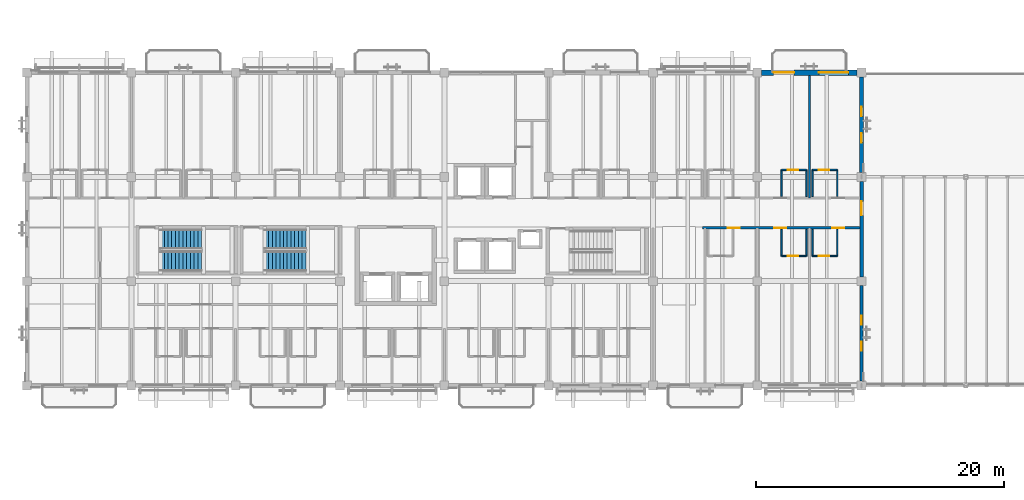
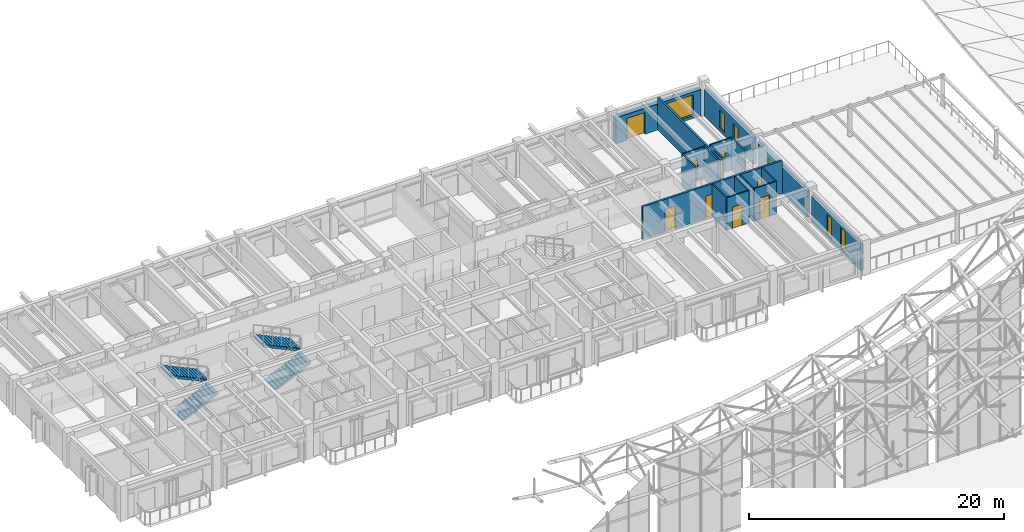
# One storey, part 83 of 93: 18 walls, 9 doors, 5 windows, 4 stair flights, 14 openings, 2 elements without a shape of their own.
"""IFC4 building model written with IfcOpenShell, lengths in metres."""

from ifc_helpers import new_model, si_unit, direction, frame, frame_2d, origin, place, context, subcontext, project, spatial, polyline, rectangle, outline, extrude, material, layer, layer_set, type_object, element, fill, aggregate, save


model = new_model("IFC4")

# Units and contexts
model_context = context("Model", 3, precision=1e-05, world=origin(), true_north=direction((0.0, 1.0)))
body_context = subcontext(model_context, "Body", "Model", "MODEL_VIEW")
ifc_project = project(units=[si_unit("LENGTHUNIT", "METRE"), si_unit("AREAUNIT", "SQUARE_METRE"), si_unit("VOLUMEUNIT", "CUBIC_METRE"), si_unit("PLANEANGLEUNIT", "RADIAN"), si_unit("MASSUNIT", "GRAM", prefix="KILO")], contexts=[model_context])

# Site, building, storey
site_placement = place(None, origin())
site = spatial("IfcSite", under=ifc_project, at=site_placement, CompositionType="ELEMENT")
building_placement = place(site_placement, origin())
building = spatial("IfcBuilding", under=site, at=building_placement, Name="Cumbredor Promenade Congress Hotel", CompositionType="ELEMENT")
storey_placement = place(building_placement, frame((0.0, 0.0, 21.840087890625)))
storey = spatial("IfcBuildingStorey", under=building, at=storey_placement, Name="L06", CompositionType="ELEMENT", Elevation=21.840087890625)

# Wall, opening, door
ifc_material_1 = material(Name="Moisture-resistant gypsum board on steel studs", Category="steel")
ifc_layer_1 = layer(ifc_material_1, 0.114990234375, Name="Moisture-resistant gypsum board on steel studs", Category="steel")
ifc_layer_set_1 = layer_set([ifc_layer_1], Name="Moisture-resistant gypsum board on steel studs")
wall_type_1 = type_object("IfcWallType", Name="WL-BATH-115", PredefinedType="PARTITIONING", material=ifc_layer_set_1)
wall_1_placement = place(storey_placement, frame((60.760009765625, 109.77001953125, 0.0), z_axis=(0.0, 0.0, 1.0), x_axis=(1.0, 0.0, 0.0)))
wall_1 = element("IfcWall", 1, at=wall_1_placement, inside=storey, type_object=wall_type_1, Name="L06 Interior Partition W-L06-BH-0612", PredefinedType="PARTITIONING", context=body_context, shape_type="SweptSolid", body=[
    extrude(rectangle(XDim=2.0, YDim=0.114990234375, at=frame_2d((1.0, 0.0))), origin(), (0.0, 0.0, 1.0), 3.119873046875),
])
opening_1_placement = place(wall_1_placement, frame((0.5, 0.0, 0.0)))
opening_1 = element("IfcOpeningElement", 2, at=opening_1_placement, cuts=wall_1, Name="Opening ID-01", PredefinedType="OPENING", context=body_context, shape_type="SweptSolid", body=[
    extrude(rectangle(XDim=0.860107421875, YDim=2.050048828125, at=frame_2d((0.43017578125, 1.02490234375))), frame((0.0, 0.0673828125, 0.0), z_axis=(0.0, -1.0, 0.0), x_axis=(1.0, 0.0, 0.0)), (0.0, 0.0, 1.0), 0.135009765625),
])
ifc_material_2 = material(Name="Kiln-dried tropical hardwood", Category="wood")
door_type_1 = type_object("IfcDoorType", Name="DR-BATH-860", OperationType="NOTDEFINED", PredefinedType="DOOR", material=ifc_material_2)
door_1_placement = place(opening_1_placement, origin())
door_1 = element("IfcDoor", 3, at=door_1_placement, inside=storey, type_object=door_type_1, Name="L06 Interior Door W-L06-BH-0612-01", OperationType="SINGLE_SWING_RIGHT", OverallHeight=2.050048828125, OverallWidth=0.860107421875, PredefinedType="DOOR", context=body_context, shape_type="SweptSolid", body=[
    extrude(rectangle(XDim=0.860107421875, YDim=2.050048828125, at=frame_2d((0.43017578125, 1.02490234375))), frame((0.0, 0.02490234375, 0.0), z_axis=(0.0, -1.0, 0.0), x_axis=(1.0, 0.0, 0.0)), (0.0, 0.0, 1.0), 0.050048828125),
])
fill(opening_1, door_1)

# Walls
for number, where, z_axis, x_axis, name in (
    (4, (60.760009765625, 107.6201171875, 0.0), (0.0, 0.0, 1.0), (0.0, 1.0, 0.0), "L06 Interior Partition W-L06-BV1-0612"),
    (5, (62.760009765625, 107.6201171875, 0.0), (0.0, 0.0, 1.0), (0.0, 1.0, 0.0), "L06 Interior Partition W-L06-BV2-0612"),
):
    element("IfcWall", number, at=place(storey_placement, frame(where, z_axis=z_axis, x_axis=x_axis)), inside=storey, type_object=wall_type_1, Name=name, PredefinedType="PARTITIONING", context=body_context, shape_type="SweptSolid", body=[
        extrude(rectangle(XDim=2.14990234375, YDim=0.114990234375, at=frame_2d((1.074951171875, 0.0))), origin(), (0.0, 0.0, 1.0), 3.119873046875),
    ])

# Wall, opening, door
wall_2_placement = place(storey_placement, frame((63.239990234375, 109.77001953125, 0.0), z_axis=(0.0, 0.0, 1.0), x_axis=(1.0, 0.0, 0.0)))
wall_2 = element("IfcWall", 6, at=wall_2_placement, inside=storey, type_object=wall_type_1, Name="L06 Interior Partition W-L06-BH-0613", PredefinedType="PARTITIONING", context=body_context, shape_type="SweptSolid", body=[
    extrude(rectangle(XDim=2.0, YDim=0.114990234375, at=frame_2d((1.0, 0.0))), origin(), (0.0, 0.0, 1.0), 3.119873046875),
])
opening_2_placement = place(wall_2_placement, frame((0.5, 0.0, 0.0)))
opening_2 = element("IfcOpeningElement", 7, at=opening_2_placement, cuts=wall_2, Name="Opening ID-01", PredefinedType="OPENING", context=body_context, shape_type="SweptSolid", body=[
    extrude(rectangle(XDim=0.860107421875, YDim=2.050048828125, at=frame_2d((0.43017578125, 1.02490234375))), frame((0.0, 0.0673828125, 0.0), z_axis=(0.0, -1.0, 0.0), x_axis=(1.0, 0.0, 0.0)), (0.0, 0.0, 1.0), 0.135009765625),
])
door_2_placement = place(opening_2_placement, origin())
door_2 = element("IfcDoor", 8, at=door_2_placement, inside=storey, type_object=door_type_1, Name="L06 Interior Door W-L06-BH-0613-01", OperationType="SINGLE_SWING_LEFT", OverallHeight=2.050048828125, OverallWidth=0.860107421875, PredefinedType="DOOR", context=body_context, shape_type="SweptSolid", body=[
    extrude(rectangle(XDim=0.860107421875, YDim=2.050048828125, at=frame_2d((0.43017578125, 1.02490234375))), frame((0.0, 0.02490234375, 0.0), z_axis=(0.0, -1.0, 0.0), x_axis=(1.0, 0.0, 0.0)), (0.0, 0.0, 1.0), 0.050048828125),
])
fill(opening_2, door_2)

# Walls
for number, where, z_axis, x_axis, name in (
    (9, (63.239990234375, 107.6201171875, 0.0), (0.0, 0.0, 1.0), (0.0, 1.0, 0.0), "L06 Interior Partition W-L06-BV1-0613"),
    (10, (65.239990234375, 107.6201171875, 0.0), (0.0, 0.0, 1.0), (0.0, 1.0, 0.0), "L06 Interior Partition W-L06-BV2-0613"),
):
    element("IfcWall", number, at=place(storey_placement, frame(where, z_axis=z_axis, x_axis=x_axis)), inside=storey, type_object=wall_type_1, Name=name, PredefinedType="PARTITIONING", context=body_context, shape_type="SweptSolid", body=[
        extrude(rectangle(XDim=2.14990234375, YDim=0.114990234375, at=frame_2d((1.074951171875, 0.0))), origin(), (0.0, 0.0, 1.0), 3.119873046875),
    ])

# Wall, opening, door
wall_3_placement = place(storey_placement, frame((60.760009765625, 102.830078125, 0.0), z_axis=(0.0, 0.0, 1.0), x_axis=(1.0, 0.0, 0.0)))
wall_3 = element("IfcWall", 11, at=wall_3_placement, inside=storey, type_object=wall_type_1, Name="L06 Interior Partition W-L06-BH-0615", PredefinedType="PARTITIONING", context=body_context, shape_type="SweptSolid", body=[
    extrude(rectangle(XDim=2.0, YDim=0.114990234375, at=frame_2d((1.0, 0.0))), origin(), (0.0, 0.0, 1.0), 3.119873046875),
])
opening_3_placement = place(wall_3_placement, frame((0.5, 0.0, 0.0)))
opening_3 = element("IfcOpeningElement", 12, at=opening_3_placement, cuts=wall_3, Name="Opening ID-01", PredefinedType="OPENING", context=body_context, shape_type="SweptSolid", body=[
    extrude(rectangle(XDim=0.860107421875, YDim=2.050048828125, at=frame_2d((0.43017578125, 1.02490234375))), frame((0.0, 0.0673828125, 0.0), z_axis=(0.0, -1.0, 0.0), x_axis=(1.0, 0.0, 0.0)), (0.0, 0.0, 1.0), 0.135009765625),
])
door_3_placement = place(opening_3_placement, origin())
door_3 = element("IfcDoor", 13, at=door_3_placement, inside=storey, type_object=door_type_1, Name="L06 Interior Door W-L06-BH-0615-01", OperationType="SINGLE_SWING_LEFT", OverallHeight=2.050048828125, OverallWidth=0.860107421875, PredefinedType="DOOR", context=body_context, shape_type="SweptSolid", body=[
    extrude(rectangle(XDim=0.860107421875, YDim=2.050048828125, at=frame_2d((0.43017578125, 1.02490234375))), frame((0.0, 0.02490234375, 0.0), z_axis=(0.0, -1.0, 0.0), x_axis=(1.0, 0.0, 0.0)), (0.0, 0.0, 1.0), 0.050048828125),
])
fill(opening_3, door_3)

# Walls
for number, where, z_axis, x_axis, name in (
    (14, (60.760009765625, 102.830078125, 0.0), (0.0, 0.0, 1.0), (0.0, 1.0, 0.0), "L06 Interior Partition W-L06-BV1-0615"),
    (15, (62.760009765625, 102.830078125, 0.0), (0.0, 0.0, 1.0), (0.0, 1.0, 0.0), "L06 Interior Partition W-L06-BV2-0615"),
):
    element("IfcWall", number, at=place(storey_placement, frame(where, z_axis=z_axis, x_axis=x_axis)), inside=storey, type_object=wall_type_1, Name=name, PredefinedType="PARTITIONING", context=body_context, shape_type="SweptSolid", body=[
        extrude(rectangle(XDim=2.14990234375, YDim=0.114990234375, at=frame_2d((1.074951171875, 0.0))), origin(), (0.0, 0.0, 1.0), 3.119873046875),
    ])

# Wall, opening, door
wall_4_placement = place(storey_placement, frame((63.239990234375, 102.830078125, 0.0), z_axis=(0.0, 0.0, 1.0), x_axis=(1.0, 0.0, 0.0)))
wall_4 = element("IfcWall", 16, at=wall_4_placement, inside=storey, type_object=wall_type_1, Name="L06 Interior Partition W-L06-BH-0616", PredefinedType="PARTITIONING", context=body_context, shape_type="SweptSolid", body=[
    extrude(rectangle(XDim=2.0, YDim=0.114990234375, at=frame_2d((1.0, 0.0))), origin(), (0.0, 0.0, 1.0), 3.119873046875),
])
opening_4_placement = place(wall_4_placement, frame((0.5, 0.0, 0.0)))
opening_4 = element("IfcOpeningElement", 17, at=opening_4_placement, cuts=wall_4, Name="Opening ID-01", PredefinedType="OPENING", context=body_context, shape_type="SweptSolid", body=[
    extrude(rectangle(XDim=0.860107421875, YDim=2.050048828125, at=frame_2d((0.43017578125, 1.02490234375))), frame((0.0, 0.0673828125, 0.0), z_axis=(0.0, -1.0, 0.0), x_axis=(1.0, 0.0, 0.0)), (0.0, 0.0, 1.0), 0.135009765625),
])
door_4_placement = place(opening_4_placement, origin())
door_4 = element("IfcDoor", 18, at=door_4_placement, inside=storey, type_object=door_type_1, Name="L06 Interior Door W-L06-BH-0616-01", OperationType="SINGLE_SWING_RIGHT", OverallHeight=2.050048828125, OverallWidth=0.860107421875, PredefinedType="DOOR", context=body_context, shape_type="SweptSolid", body=[
    extrude(rectangle(XDim=0.860107421875, YDim=2.050048828125, at=frame_2d((0.43017578125, 1.02490234375))), frame((0.0, 0.02490234375, 0.0), z_axis=(0.0, -1.0, 0.0), x_axis=(1.0, 0.0, 0.0)), (0.0, 0.0, 1.0), 0.050048828125),
])
fill(opening_4, door_4)

# Walls
for number, where, z_axis, x_axis, name in (
    (19, (63.239990234375, 102.830078125, 0.0), (0.0, 0.0, 1.0), (0.0, 1.0, 0.0), "L06 Interior Partition W-L06-BV1-0616"),
    (20, (65.239990234375, 102.830078125, 0.0), (0.0, 0.0, 1.0), (0.0, 1.0, 0.0), "L06 Interior Partition W-L06-BV2-0616"),
):
    element("IfcWall", number, at=place(storey_placement, frame(where, z_axis=z_axis, x_axis=x_axis)), inside=storey, type_object=wall_type_1, Name=name, PredefinedType="PARTITIONING", context=body_context, shape_type="SweptSolid", body=[
        extrude(rectangle(XDim=2.14990234375, YDim=0.114990234375, at=frame_2d((1.074951171875, 0.0))), origin(), (0.0, 0.0, 1.0), 3.119873046875),
    ])

# Wall, openings, doors
ifc_material_3 = material(Name="Fire-rated hotel corridor wall")
ifc_layer_2 = layer(ifc_material_3, 0.179931640625, Name="Fire-rated hotel corridor wall")
ifc_layer_set_2 = layer_set([ifc_layer_2], Name="Fire-rated hotel corridor wall")
wall_type_2 = type_object("IfcWallType", Name="WL-CORR-180", PredefinedType="PARTITIONING", material=ifc_layer_set_2)
wall_5_placement = place(storey_placement, frame((54.39990234375, 105.10009765625, 0.0), z_axis=(0.0, 0.0, 1.0), x_axis=(1.0, 0.0, 0.0)))
wall_5 = element("IfcWall", 21, at=wall_5_placement, inside=storey, type_object=wall_type_2, Name="L06 Interior Partition W-L06-CORR-SE", PredefinedType="PARTITIONING", context=body_context, shape_type="SweptSolid", body=[
    extrude(rectangle(XDim=12.66015625, YDim=0.179931640625, at=frame_2d((6.330078125, 0.0))), origin(), (0.0, 0.0, 1.0), 3.119873046875),
])
opening_5_placement = place(wall_5_placement, frame((2.030029296875, 0.0, 0.0)))
opening_5 = element("IfcOpeningElement", 22, at=opening_5_placement, cuts=wall_5, Name="Opening FD-01", PredefinedType="OPENING", context=body_context, shape_type="SweptSolid", body=[
    extrude(rectangle(XDim=0.9599609375, YDim=2.14990234375, at=frame_2d((0.47998046875, 1.074951171875))), frame((0.0, 0.10009765625, 0.0), z_axis=(0.0, -1.0, 0.0), x_axis=(1.0, 0.0, 0.0)), (0.0, 0.0, 1.0), 0.199951171875),
])
opening_6_placement = place(wall_5_placement, frame((5.77001953125, 0.0, 0.0)))
opening_6 = element("IfcOpeningElement", 23, at=opening_6_placement, cuts=wall_5, Name="Opening FD-01", PredefinedType="OPENING", context=body_context, shape_type="SweptSolid", body=[
    extrude(rectangle(XDim=0.9599609375, YDim=2.14990234375, at=frame_2d((0.47998046875, 1.074951171875))), frame((0.0, 0.10009765625, 0.0), z_axis=(0.0, -1.0, 0.0), x_axis=(1.0, 0.0, 0.0)), (0.0, 0.0, 1.0), 0.199951171875),
])
opening_7_placement = place(wall_5_placement, frame((10.429931640625, 0.0, 0.0)))
opening_7 = element("IfcOpeningElement", 24, at=opening_7_placement, cuts=wall_5, Name="Opening FD-01", PredefinedType="OPENING", context=body_context, shape_type="SweptSolid", body=[
    extrude(rectangle(XDim=0.9599609375, YDim=2.14990234375, at=frame_2d((0.47998046875, 1.074951171875))), frame((0.0, 0.10009765625, 0.0), z_axis=(0.0, -1.0, 0.0), x_axis=(1.0, 0.0, 0.0)), (0.0, 0.0, 1.0), 0.199951171875),
])
ifc_material_4 = material(Name="Solid-core fire-rated tropical hardwood", Category="wood")
door_type_2 = type_object("IfcDoorType", Name="DR-GUEST-FD30-950", OperationType="NOTDEFINED", PredefinedType="DOOR", material=ifc_material_4)
door_5_placement = place(opening_5_placement, origin())
door_5 = element("IfcDoor", 25, at=door_5_placement, inside=storey, type_object=door_type_2, Name="L06 Interior Door W-L06-CORR-SE-01", OperationType="SINGLE_SWING_LEFT", OverallHeight=2.14990234375, OverallWidth=0.9599609375, PredefinedType="DOOR", context=body_context, shape_type="SweptSolid", body=[
    extrude(rectangle(XDim=0.9599609375, YDim=2.14990234375, at=frame_2d((0.47998046875, 1.074951171875))), frame((0.0, 0.02490234375, 0.0), z_axis=(0.0, -1.0, 0.0), x_axis=(1.0, 0.0, 0.0)), (0.0, 0.0, 1.0), 0.050048828125),
])
fill(opening_5, door_5)
door_6_placement = place(opening_6_placement, origin())
door_6 = element("IfcDoor", 26, at=door_6_placement, inside=storey, type_object=door_type_2, Name="L06 Interior Door W-L06-CORR-SE-02", OperationType="SINGLE_SWING_RIGHT", OverallHeight=2.14990234375, OverallWidth=0.9599609375, PredefinedType="DOOR", context=body_context, shape_type="SweptSolid", body=[
    extrude(rectangle(XDim=0.9599609375, YDim=2.14990234375, at=frame_2d((0.47998046875, 1.074951171875))), frame((0.0, 0.02490234375, 0.0), z_axis=(0.0, -1.0, 0.0), x_axis=(1.0, 0.0, 0.0)), (0.0, 0.0, 1.0), 0.050048828125),
])
fill(opening_6, door_6)
door_7_placement = place(opening_7_placement, origin())
door_7 = element("IfcDoor", 27, at=door_7_placement, inside=storey, type_object=door_type_2, Name="L06 Interior Door W-L06-CORR-SE-03", OperationType="SINGLE_SWING_LEFT", OverallHeight=2.14990234375, OverallWidth=0.9599609375, PredefinedType="DOOR", context=body_context, shape_type="SweptSolid", body=[
    extrude(rectangle(XDim=0.9599609375, YDim=2.14990234375, at=frame_2d((0.47998046875, 1.074951171875))), frame((0.0, 0.02490234375, 0.0), z_axis=(0.0, -1.0, 0.0), x_axis=(1.0, 0.0, 0.0)), (0.0, 0.0, 1.0), 0.050048828125),
])
fill(opening_7, door_7)

# Wall, openings, windows
ifc_material_5 = material(Name="Concrete C40/50", Category="concrete")
ifc_layer_3 = layer(ifc_material_5, 0.260009765625, Name="Concrete C40/50", Category="concrete")
ifc_layer_set_3 = layer_set([ifc_layer_3], Name="Concrete C40/50")
wall_type_3 = type_object("IfcWallType", Name="WL-EXT-260", PredefinedType="SOLIDWALL", material=ifc_layer_set_3)
wall_6_placement = place(storey_placement, frame((67.199951171875, 92.7509765625, 0.0), z_axis=(0.0, 0.0, 1.0), x_axis=(0.0, 1.0, 0.0)))
wall_6 = element("IfcWall", 28, at=wall_6_placement, inside=storey, type_object=wall_type_3, Name="L06 Stepped Congress Hotel Wing East Envelope Wall 1", PredefinedType="SOLIDWALL", context=body_context, shape_type="SweptSolid", body=[
    extrude(rectangle(XDim=7.697998046875, YDim=0.260009765625, at=frame_2d((3.84912109375, 0.0))), origin(), (0.0, 0.0, 1.0), 2.493896484375),
])
opening_8_placement = place(wall_6_placement, frame((2.43896484375, 0.0, 0.300048828125)))
opening_8 = element("IfcOpeningElement", 29, at=opening_8_placement, cuts=wall_6, Name="Opening WN-49", PredefinedType="OPENING", context=body_context, shape_type="SweptSolid", body=[
    extrude(rectangle(XDim=0.719970703125, YDim=1.949951171875, at=frame_2d((0.35986328125, 0.97509765625))), frame((0.0, 0.14013671875, 0.0), z_axis=(0.0, -1.0, 0.0), x_axis=(1.0, 0.0, 0.0)), (0.0, 0.0, 1.0), 0.280029296875),
])
opening_9_placement = place(wall_6_placement, frame((4.5390625, 0.0, 0.300048828125)))
opening_9 = element("IfcOpeningElement", 30, at=opening_9_placement, cuts=wall_6, Name="Opening WN-49", PredefinedType="OPENING", context=body_context, shape_type="SweptSolid", body=[
    extrude(rectangle(XDim=0.719970703125, YDim=1.949951171875, at=frame_2d((0.35986328125, 0.97509765625))), frame((0.0, 0.14013671875, 0.0), z_axis=(0.0, -1.0, 0.0), x_axis=(1.0, 0.0, 0.0)), (0.0, 0.0, 1.0), 0.280029296875),
])
ifc_material_6 = material(Name="Thermally broken anodized aluminium and low-E glass", Category="aluminium")
window_type_1 = type_object("IfcWindowType", Name="Vertical Slot Window WN-49 720x1950", PartitioningType="SINGLE_PANEL", PredefinedType="WINDOW", material=ifc_material_6)
window_1_placement = place(opening_8_placement, origin())
window_1 = element("IfcWindow", 31, at=window_1_placement, inside=storey, type_object=window_type_1, Name="L06 Vertical Slot Window 0611", OverallHeight=1.949951171875, OverallWidth=0.719970703125, PartitioningType="SINGLE_PANEL", PredefinedType="WINDOW", context=body_context, shape_type="SweptSolid", body=[
    extrude(rectangle(XDim=0.719970703125, YDim=1.949951171875, at=frame_2d((0.35986328125, 0.97509765625))), frame((0.0, 0.030029296875, 0.0), z_axis=(0.0, -1.0, 0.0), x_axis=(1.0, 0.0, 0.0)), (0.0, 0.0, 1.0), 0.06005859375),
])
fill(opening_8, window_1)
window_2_placement = place(opening_9_placement, origin())
window_2 = element("IfcWindow", 32, at=window_2_placement, inside=storey, type_object=window_type_1, Name="L06 Vertical Slot Window 0612", OverallHeight=1.949951171875, OverallWidth=0.719970703125, PartitioningType="SINGLE_PANEL", PredefinedType="WINDOW", context=body_context, shape_type="SweptSolid", body=[
    extrude(rectangle(XDim=0.719970703125, YDim=1.949951171875, at=frame_2d((0.35986328125, 0.97509765625))), frame((0.0, 0.030029296875, 0.0), z_axis=(0.0, -1.0, 0.0), x_axis=(1.0, 0.0, 0.0)), (0.0, 0.0, 1.0), 0.06005859375),
])
fill(opening_9, window_2)

# Wall, opening, door
ifc_layer_4 = layer(ifc_material_5, 0.280029296875, Name="Concrete C40/50", Category="concrete")
ifc_layer_set_4 = layer_set([ifc_layer_4], Name="Concrete C40/50")
wall_type_4 = type_object("IfcWallType", Name="WL-EXT-280", PredefinedType="SOLIDWALL", material=ifc_layer_set_4)
wall_7_placement = place(storey_placement, frame((67.199951171875, 101.15087890625, 0.0), z_axis=(0.0, 0.0, 1.0), x_axis=(0.0, 1.0, 0.0)))
wall_7 = element("IfcWall", 33, at=wall_7_placement, inside=storey, type_object=wall_type_4, Name="L06 Stepped Congress Hotel Wing East Envelope Wall 2", PredefinedType="SOLIDWALL", context=body_context, shape_type="SweptSolid", body=[
    extrude(rectangle(XDim=7.6982421875, YDim=0.280029296875, at=frame_2d((3.84912109375, 0.0))), origin(), (0.0, 0.0, 1.0), 2.493896484375),
])
opening_10_placement = place(wall_7_placement, frame((4.948974609375, 0.0, 0.0)))
opening_10 = element("IfcOpeningElement", 34, at=opening_10_placement, cuts=wall_7, Name="Opening TD-05", PredefinedType="OPENING", context=body_context, shape_type="SweptSolid", body=[
    extrude(rectangle(XDim=1.1201171875, YDim=2.050048828125, at=frame_2d((0.56005859375, 1.02490234375))), frame((0.0, 0.14990234375, 0.0), z_axis=(0.0, -1.0, 0.0), x_axis=(1.0, 0.0, 0.0)), (0.0, 0.0, 1.0), 0.300048828125),
])
ifc_material_7 = material(Name="Thermally broken anodized aluminium and laminated safety glass", Category="aluminium")
door_type_3 = type_object("IfcDoorType", Name="EXT-DR-TER-1120x2050", OperationType="NOTDEFINED", PredefinedType="DOOR", material=ifc_material_7)
door_8_placement = place(opening_10_placement, frame((1.1201171875, 0.0, 0.0), z_axis=(0.0, 0.0, 1.0), x_axis=(-1.0, 0.0, 0.0)))
door_8 = element("IfcDoor", 35, at=door_8_placement, inside=storey, type_object=door_type_3, Name="L06 Sky Garden Terrace Access Door 74", OperationType="SINGLE_SWING_LEFT", OverallHeight=2.050048828125, OverallWidth=1.1201171875, PredefinedType="DOOR", context=body_context, shape_type="SweptSolid", body=[
    extrude(rectangle(XDim=1.1201171875, YDim=2.050048828125, at=frame_2d((0.56005859375, 1.02490234375))), frame((0.0, 0.02490234375, 0.0), z_axis=(0.0, -1.0, 0.0), x_axis=(1.0, 0.0, 0.0)), (0.0, 0.0, 1.0), 0.050048828125),
])
fill(opening_10, door_8)

# Wall, openings, windows
ifc_layer_5 = layer(ifc_material_5, 0.300048828125, Name="Concrete C40/50", Category="concrete")
ifc_layer_set_5 = layer_set([ifc_layer_5], Name="Concrete C40/50")
wall_type_5 = type_object("IfcWallType", Name="WL-EXT-300", PredefinedType="SOLIDWALL", material=ifc_layer_set_5)
wall_8_placement = place(storey_placement, frame((67.199951171875, 109.551025390625, 0.0), z_axis=(0.0, 0.0, 1.0), x_axis=(0.0, 1.0, 0.0)))
wall_8 = element("IfcWall", 36, at=wall_8_placement, inside=storey, type_object=wall_type_5, Name="L06 Stepped Congress Hotel Wing East Envelope Wall 3", PredefinedType="SOLIDWALL", context=body_context, shape_type="SweptSolid", body=[
    extrude(rectangle(XDim=7.697998046875, YDim=0.300048828125, at=frame_2d((3.84912109375, 0.0))), origin(), (0.0, 0.0, 1.0), 2.493896484375),
])
opening_11_placement = place(wall_8_placement, frame((2.4189453125, 0.0, 0.300048828125)))
opening_11 = element("IfcOpeningElement", 37, at=opening_11_placement, cuts=wall_8, Name="Opening WN-61", PredefinedType="OPENING", context=body_context, shape_type="SweptSolid", body=[
    extrude(rectangle(XDim=0.760009765625, YDim=1.75, at=frame_2d((0.3798828125, 0.875))), frame((0.0, 0.16015625, 0.0), z_axis=(0.0, -1.0, 0.0), x_axis=(1.0, 0.0, 0.0)), (0.0, 0.0, 1.0), 0.320068359375),
])
opening_12_placement = place(wall_8_placement, frame((4.51904296875, 0.0, 0.300048828125)))
opening_12 = element("IfcOpeningElement", 38, at=opening_12_placement, cuts=wall_8, Name="Opening WN-61", PredefinedType="OPENING", context=body_context, shape_type="SweptSolid", body=[
    extrude(rectangle(XDim=0.760009765625, YDim=1.75, at=frame_2d((0.3798828125, 0.875))), frame((0.0, 0.16015625, 0.0), z_axis=(0.0, -1.0, 0.0), x_axis=(1.0, 0.0, 0.0)), (0.0, 0.0, 1.0), 0.320068359375),
])
window_type_2 = type_object("IfcWindowType", Name="Vertical Slot Window WN-61 760x1750", PartitioningType="SINGLE_PANEL", PredefinedType="WINDOW", material=ifc_material_6)
window_3_placement = place(opening_11_placement, origin())
window_3 = element("IfcWindow", 39, at=window_3_placement, inside=storey, type_object=window_type_2, Name="L06 Vertical Slot Window 0613", OverallHeight=1.75, OverallWidth=0.760009765625, PartitioningType="SINGLE_PANEL", PredefinedType="WINDOW", context=body_context, shape_type="SweptSolid", body=[
    extrude(rectangle(XDim=0.760009765625, YDim=1.75, at=frame_2d((0.3798828125, 0.875))), frame((0.0, 0.030029296875, 0.0), z_axis=(0.0, -1.0, 0.0), x_axis=(1.0, 0.0, 0.0)), (0.0, 0.0, 1.0), 0.06005859375),
])
fill(opening_11, window_3)
window_4_placement = place(opening_12_placement, origin())
window_4 = element("IfcWindow", 40, at=window_4_placement, inside=storey, type_object=window_type_2, Name="L06 Vertical Slot Window 0614", OverallHeight=1.75, OverallWidth=0.760009765625, PartitioningType="SINGLE_PANEL", PredefinedType="WINDOW", context=body_context, shape_type="SweptSolid", body=[
    extrude(rectangle(XDim=0.760009765625, YDim=1.75, at=frame_2d((0.3798828125, 0.875))), frame((0.0, 0.030029296875, 0.0), z_axis=(0.0, -1.0, 0.0), x_axis=(1.0, 0.0, 0.0)), (0.0, 0.0, 1.0), 0.06005859375),
])
fill(opening_12, window_4)

# Wall, openings, door, window
ifc_layer_6 = layer(ifc_material_5, 0.449951171875, Name="Concrete C40/50", Category="concrete")
ifc_layer_set_6 = layer_set([ifc_layer_6], Name="Concrete C40/50")
wall_type_6 = type_object("IfcWallType", Name="WL-EXT-450", PredefinedType="SOLIDWALL", material=ifc_layer_set_6)
wall_9_placement = place(storey_placement, frame((59.15087890625, 117.60009765625, 0.0), z_axis=(0.0, 0.0, 1.0), x_axis=(1.0, 0.0, 0.0)))
wall_9 = element("IfcWall", 41, at=wall_9_placement, inside=storey, type_object=wall_type_6, Name="L06 Stepped Congress Hotel Wing North Envelope Wall 8", PredefinedType="SOLIDWALL", context=body_context, shape_type="SweptSolid", body=[
    extrude(rectangle(XDim=7.6982421875, YDim=0.449951171875, at=frame_2d((3.84912109375, 0.0))), origin(), (0.0, 0.0, 1.0), 2.493896484375),
])
opening_13_placement = place(wall_9_placement, frame((0.97412109375, 0.0, 0.0)))
opening_13 = element("IfcOpeningElement", 42, at=opening_13_placement, cuts=wall_9, Name="Opening TD-02", PredefinedType="OPENING", context=body_context, shape_type="SweptSolid", body=[
    extrude(rectangle(XDim=1.64990234375, YDim=2.080078125, at=frame_2d((0.824951171875, 1.0400390625))), frame((0.0, 0.23486328125, 0.0), z_axis=(0.0, -1.0, 0.0), x_axis=(1.0, 0.0, 0.0)), (0.0, 0.0, 1.0), 0.469970703125),
])
opening_14_placement = place(wall_9_placement, frame((4.60888671875, 0.0, 0.25)))
opening_14 = element("IfcOpeningElement", 43, at=opening_14_placement, cuts=wall_9, Name="Opening WN-41", PredefinedType="OPENING", context=body_context, shape_type="SweptSolid", body=[
    extrude(rectangle(XDim=2.3798828125, YDim=2.0, at=frame_2d((1.18994140625, 1.0))), frame((0.0, 0.23486328125, 0.0), z_axis=(0.0, -1.0, 0.0), x_axis=(1.0, 0.0, 0.0)), (0.0, 0.0, 1.0), 0.469970703125),
])
door_type_4 = type_object("IfcDoorType", Name="EXT-DR-TER-1650x2080", OperationType="DOUBLE_DOOR_SINGLE_SWING", PredefinedType="DOOR", material=ifc_material_7)
door_9_placement = place(opening_13_placement, origin())
door_9 = element("IfcDoor", 44, at=door_9_placement, inside=storey, type_object=door_type_4, Name="L06 Guestroom Veranda Balcony Door 073", OperationType="DOUBLE_DOOR_SINGLE_SWING", OverallHeight=2.080078125, OverallWidth=1.64990234375, PredefinedType="DOOR", context=body_context, shape_type="SweptSolid", body=[
    extrude(rectangle(XDim=1.64990234375, YDim=2.080078125, at=frame_2d((0.824951171875, 1.0400390625))), frame((0.0, 0.02490234375, 0.0), z_axis=(0.0, -1.0, 0.0), x_axis=(1.0, 0.0, 0.0)), (0.0, 0.0, 1.0), 0.050048828125),
])
fill(opening_13, door_9)
window_type_3 = type_object("IfcWindowType", Name="Hospitality Floor-to-Ceiling Window WN-41 2380x2000", PartitioningType="DOUBLE_PANEL_VERTICAL", PredefinedType="WINDOW", material=ifc_material_6)
window_5_placement = place(opening_14_placement, origin())
window_5 = element("IfcWindow", 45, at=window_5_placement, inside=storey, type_object=window_type_3, Name="L06 Veranda Companion Floor-to-Ceiling Window 0604", OverallHeight=2.0, OverallWidth=2.3798828125, PartitioningType="DOUBLE_PANEL_VERTICAL", PredefinedType="WINDOW", context=body_context, shape_type="SweptSolid", body=[
    extrude(rectangle(XDim=2.3798828125, YDim=2.0, at=frame_2d((1.18994140625, 1.0))), frame((0.0, 0.030029296875, 0.0), z_axis=(0.0, -1.0, 0.0), x_axis=(1.0, 0.0, 0.0)), (0.0, 0.0, 1.0), 0.06005859375),
])
fill(opening_14, window_5)

# Wall
ifc_material_8 = material(Name="Fire-rated acoustic double-stud partition")
ifc_layer_7 = layer(ifc_material_8, 0.1650390625, Name="Fire-rated acoustic double-stud partition")
ifc_layer_set_7 = layer_set([ifc_layer_7], Name="Fire-rated acoustic double-stud partition")
wall_type_7 = type_object("IfcWallType", Name="WL-UNIT-165", PredefinedType="PARTITIONING", material=ifc_layer_set_7)
wall_10_placement = place(storey_placement, frame((63.0, 107.5, 0.0), z_axis=(0.0, 0.0, 1.0), x_axis=(0.0, 1.0, 0.0)))
element("IfcWall", 46, at=wall_10_placement, inside=storey, type_object=wall_type_7, Name="L06 Interior Partition W-L06-N-DIV-7-M", PredefinedType="PARTITIONING", context=body_context, shape_type="SweptSolid", body=[
    extrude(rectangle(XDim=9.875, YDim=0.1650390625, at=frame_2d((4.9375, 0.0))), origin(), (0.0, 0.0, 1.0), 3.119873046875),
])

# Stair, stair flights
stair_type = type_object("IfcStairType", Name="Protected Dog-Leg Exit Stair ST-T2 1600mm", PredefinedType="HALF_TURN_STAIR", material=ifc_material_5)
stair_1_placement = place(storey_placement, origin())
stair_1 = element("IfcStair", 47, at=stair_1_placement, inside=storey, type_object=stair_type, Name="L06 Protected Exit Stair ST-01", PredefinedType="HALF_TURN_STAIR")
stair_flight_type = type_object("IfcStairFlightType", Name="Concrete Stair Flight SFL-T2 1600mm", PredefinedType="STRAIGHT", material=ifc_material_5)
stair_flight_1_placement = place(storey_placement, frame((10.75, 102.419921875, 0.0), z_axis=(0.0, 0.0, 1.0), x_axis=(1.0, 0.0, 0.0)))
stair_flight_1 = element("IfcStairFlight", 48, at=stair_flight_1_placement, type_object=stair_flight_type, Name="ST-01 flight 1", NumberOfRisers=12, NumberOfTreads=11, PredefinedType="STRAIGHT", RiserHeight=0.14, TreadLength=0.3, context=body_context, shape_type="SweptSolid", body=[
    extrude(outline(polyline([(0.0, 0.0), (0.0, 0.139892578125), (0.300048828125, 0.139892578125), (0.300048828125, 0.280029296875), (0.60009765625, 0.280029296875), (0.60009765625, 0.419921875), (0.89990234375, 0.419921875), (0.89990234375, 0.56005859375), (1.199951171875, 0.56005859375), (1.199951171875, 0.699951171875), (1.5, 0.699951171875), (1.5, 0.840087890625), (1.800048828125, 0.840087890625), (1.800048828125, 0.97998046875), (2.10009765625, 0.97998046875), (2.10009765625, 1.1201171875), (2.39990234375, 1.1201171875), (2.39990234375, 1.260009765625), (2.699951171875, 1.260009765625), (2.699951171875, 1.39990234375), (3.0, 1.39990234375), (3.0, 1.5400390625), (3.300048828125, 1.5400390625), (3.300048828125, 1.679931640625), (3.300048828125, 1.341552734375), (0.425537109375, 0.0), (0.0, 0.0)])), frame((0.0, 0.800048828125, 0.0), z_axis=(0.0, -1.0, 0.0), x_axis=(1.0, 0.0, 0.0)), (0.0, 0.0, 1.0), 1.60009765625),
])
stair_flight_2_placement = place(storey_placement, frame((14.050048828125, 104.169921875, 1.679931640625), z_axis=(0.0, 0.0, 1.0), x_axis=(-1.0, 0.0, 0.0)))
stair_flight_2 = element("IfcStairFlight", 49, at=stair_flight_2_placement, type_object=stair_flight_type, Name="ST-01 flight 2", NumberOfRisers=12, NumberOfTreads=11, PredefinedType="STRAIGHT", RiserHeight=0.14, TreadLength=0.3, context=body_context, shape_type="SweptSolid", body=[
    extrude(outline(polyline([(0.0, 0.0), (0.0, 0.139892578125), (0.300048828125, 0.139892578125), (0.300048828125, 0.280029296875), (0.60009765625, 0.280029296875), (0.60009765625, 0.419921875), (0.89990234375, 0.419921875), (0.89990234375, 0.56005859375), (1.199951171875, 0.56005859375), (1.199951171875, 0.699951171875), (1.5, 0.699951171875), (1.5, 0.840087890625), (1.800048828125, 0.840087890625), (1.800048828125, 0.97998046875), (2.10009765625, 0.97998046875), (2.10009765625, 1.1201171875), (2.39990234375, 1.1201171875), (2.39990234375, 1.260009765625), (2.699951171875, 1.260009765625), (2.699951171875, 1.39990234375), (3.0, 1.39990234375), (3.0, 1.5400390625), (3.300048828125, 1.5400390625), (3.300048828125, 1.679931640625), (3.300048828125, 1.341552734375), (0.425537109375, 0.0), (0.0, 0.0)])), frame((0.0, 0.800048828125, 0.0), z_axis=(0.0, -1.0, 0.0), x_axis=(1.0, 0.0, 0.0)), (0.0, 0.0, 1.0), 1.60009765625),
])
aggregate(stair_1, [stair_flight_1, stair_flight_2])

stair_2_placement = place(storey_placement, origin())
stair_2 = element("IfcStair", 50, at=stair_2_placement, inside=storey, type_object=stair_type, Name="L06 Protected Exit Stair ST-02", PredefinedType="HALF_TURN_STAIR")
stair_flight_3_placement = place(storey_placement, frame((19.14990234375, 102.419921875, 0.0), z_axis=(0.0, 0.0, 1.0), x_axis=(1.0, 0.0, 0.0)))
stair_flight_3 = element("IfcStairFlight", 51, at=stair_flight_3_placement, type_object=stair_flight_type, Name="ST-02 flight 1", NumberOfRisers=12, NumberOfTreads=11, PredefinedType="STRAIGHT", RiserHeight=0.14, TreadLength=0.3, context=body_context, shape_type="SweptSolid", body=[
    extrude(outline(polyline([(0.0, 0.0), (0.0, 0.139892578125), (0.300048828125, 0.139892578125), (0.300048828125, 0.280029296875), (0.60009765625, 0.280029296875), (0.60009765625, 0.419921875), (0.89990234375, 0.419921875), (0.89990234375, 0.56005859375), (1.199951171875, 0.56005859375), (1.199951171875, 0.699951171875), (1.5, 0.699951171875), (1.5, 0.840087890625), (1.800048828125, 0.840087890625), (1.800048828125, 0.97998046875), (2.10009765625, 0.97998046875), (2.10009765625, 1.1201171875), (2.39990234375, 1.1201171875), (2.39990234375, 1.260009765625), (2.699951171875, 1.260009765625), (2.699951171875, 1.39990234375), (3.0, 1.39990234375), (3.0, 1.5400390625), (3.300048828125, 1.5400390625), (3.300048828125, 1.679931640625), (3.300048828125, 1.341552734375), (0.425537109375, 0.0), (0.0, 0.0)])), frame((0.0, 0.800048828125, 0.0), z_axis=(0.0, -1.0, 0.0), x_axis=(1.0, 0.0, 0.0)), (0.0, 0.0, 1.0), 1.60009765625),
])
stair_flight_4_placement = place(storey_placement, frame((22.449951171875, 104.169921875, 1.679931640625), z_axis=(0.0, 0.0, 1.0), x_axis=(-1.0, 0.0, 0.0)))
stair_flight_4 = element("IfcStairFlight", 52, at=stair_flight_4_placement, type_object=stair_flight_type, Name="ST-02 flight 2", NumberOfRisers=12, NumberOfTreads=11, PredefinedType="STRAIGHT", RiserHeight=0.14, TreadLength=0.3, context=body_context, shape_type="SweptSolid", body=[
    extrude(outline(polyline([(0.0, 0.0), (0.0, 0.139892578125), (0.300048828125, 0.139892578125), (0.300048828125, 0.280029296875), (0.60009765625, 0.280029296875), (0.60009765625, 0.419921875), (0.89990234375, 0.419921875), (0.89990234375, 0.56005859375), (1.199951171875, 0.56005859375), (1.199951171875, 0.699951171875), (1.5, 0.699951171875), (1.5, 0.840087890625), (1.800048828125, 0.840087890625), (1.800048828125, 0.97998046875), (2.10009765625, 0.97998046875), (2.10009765625, 1.1201171875), (2.39990234375, 1.1201171875), (2.39990234375, 1.260009765625), (2.699951171875, 1.260009765625), (2.699951171875, 1.39990234375), (3.0, 1.39990234375), (3.0, 1.5400390625), (3.300048828125, 1.5400390625), (3.300048828125, 1.679931640625), (3.300048828125, 1.341552734375), (0.425537109375, 0.0), (0.0, 0.0)])), frame((0.0, 0.800048828125, 0.0), z_axis=(0.0, -1.0, 0.0), x_axis=(1.0, 0.0, 0.0)), (0.0, 0.0, 1.0), 1.60009765625),
])
aggregate(stair_2, [stair_flight_3, stair_flight_4])

save(model, "model.ifc")
